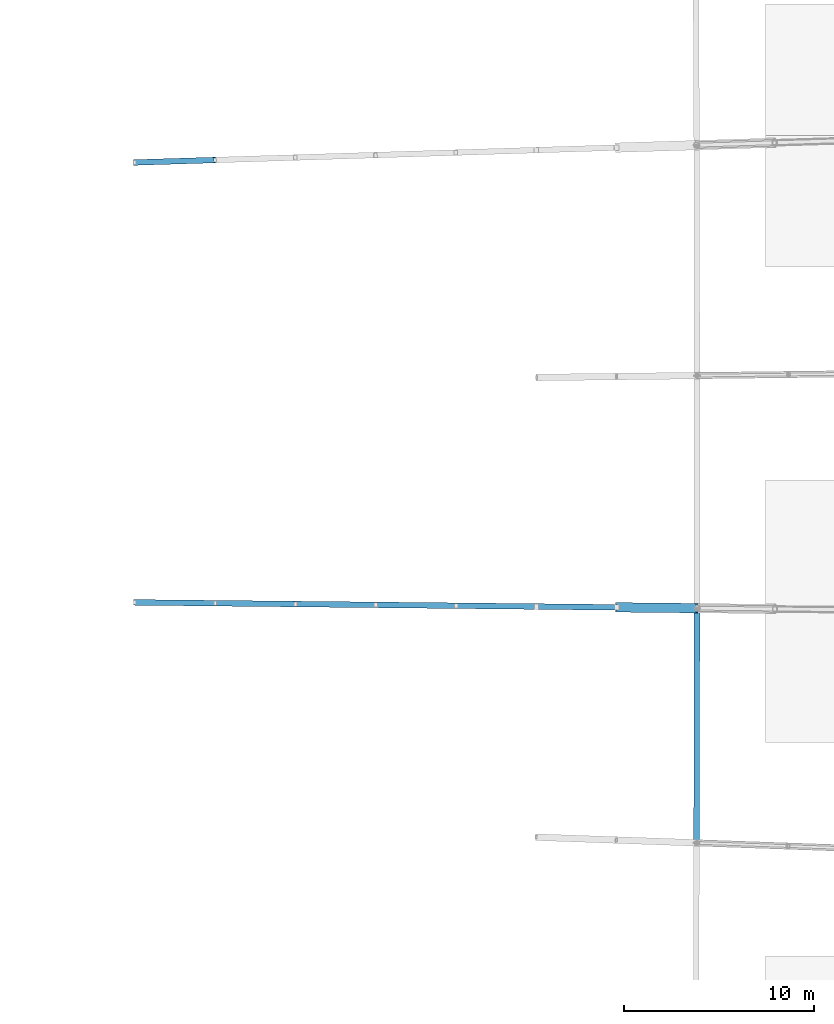
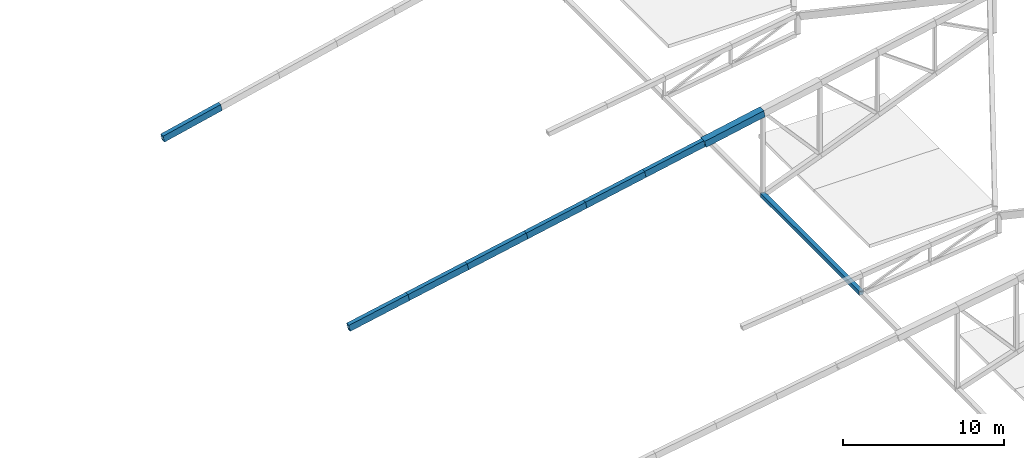
# One storey, part 55 of 188: 9 members.
"""IFC4 building model written with IfcOpenShell, lengths in metres."""

from ifc_helpers import new_model, si_unit, direction, frame, origin, origin_2d, place, context, subcontext, project, spatial, hollow_rectangle, extrude, material, material_profile, profile_set, type_object, element, save


model = new_model("IFC4")

# Units and contexts
model_context = context("Model", 3, precision=1e-05, world=origin(), true_north=direction((0.0, 1.0)))
body_context = subcontext(model_context, "Body", "Model", "MODEL_VIEW")
ifc_project = project(units=[si_unit("LENGTHUNIT", "METRE"), si_unit("AREAUNIT", "SQUARE_METRE"), si_unit("VOLUMEUNIT", "CUBIC_METRE"), si_unit("PLANEANGLEUNIT", "RADIAN"), si_unit("MASSUNIT", "GRAM", prefix="KILO")], contexts=[model_context])

# Site, building, storey
site_placement = place(None, origin())
site = spatial("IfcSite", under=ifc_project, at=site_placement, CompositionType="ELEMENT")
building_placement = place(site_placement, origin())
building = spatial("IfcBuilding", under=site, at=building_placement, Name="Meseta Stadium", CompositionType="ELEMENT")
storey_placement = place(building_placement, frame((0.0, 0.0, 30.0)))
storey = spatial("IfcBuildingStorey", under=building, at=storey_placement, Name="ROOF", CompositionType="ELEMENT", Elevation=30.0)

# Members
ifc_material_1 = material(Name="Steel S355", Category="steel")
ifc_material_profile_1 = material_profile(ifc_material_1, hollow_rectangle(XDim=0.300048828125, YDim=0.5, WallThickness=0.01611328125, at=origin_2d()), Name="RHS 500x300x16")
ifc_profile_set_1 = profile_set([ifc_material_profile_1], Name="Steel S355")
member_type_1 = type_object("IfcMemberType", Name="RHS 500x300x16 top chord", PredefinedType="CHORD", material=ifc_profile_set_1)
member_1_placement = place(storey_placement, frame((55.443603515625, -5.777587890625, 0.873291015625), z_axis=(0.978700824096, -0.010073945914, 0.205044415989), x_axis=(0.010292636977, 0.999947029409, 0.0)))
element("IfcMember", 1, at=member_1_placement, inside=storey, type_object=member_type_1, Name="ROOF TRUSS RT-04 top chord", PredefinedType="CHORD", context=body_context, shape_type="SweptSolid", body=[
    extrude(hollow_rectangle(XDim=0.300048828125, YDim=0.5, WallThickness=0.01611328125, at=origin_2d()), origin(), (0.0, 0.0, 1.0), 4.313720703125),
])
member_2_placement = place(storey_placement, frame((59.66552734375, -5.821044921875, 1.7578125), z_axis=(0.978703209085, -0.010073387951, 0.205033059241), x_axis=(0.010292041883, 0.999947035534, 0.0)))
element("IfcMember", 2, at=member_2_placement, inside=storey, type_object=member_type_1, Name="ROOF TRUSS RT-04 top chord", PredefinedType="CHORD", context=body_context, shape_type="SweptSolid", body=[
    extrude(hollow_rectangle(XDim=0.300048828125, YDim=0.5, WallThickness=0.01611328125, at=origin_2d()), origin(), (0.0, 0.0, 1.0), 4.31396484375),
])
for number, where, z_axis, x_axis, name in (
    (3, (63.8876953125, -5.864501953125, 2.642333984375), (0.978701380522, -0.010017356407, 0.205044532564), (0.010234819248, 0.999947622866, 0.0), "ROOF TRUSS RT-04 top chord"),
    (4, (68.109619140625, -5.90771484375, 3.52685546875), (0.978700824096, -0.010073945914, 0.205044415989), (0.010292636977, 0.999947029409, 0.0), "ROOF TRUSS RT-04 top chord"),
):
    element("IfcMember", number, at=place(storey_placement, frame(where, z_axis=z_axis, x_axis=x_axis)), inside=storey, type_object=member_type_1, Name=name, PredefinedType="CHORD", context=body_context, shape_type="SweptSolid", body=[
        extrude(hollow_rectangle(XDim=0.300048828125, YDim=0.5, WallThickness=0.01611328125, at=origin_2d()), origin(), (0.0, 0.0, 1.0), 4.313720703125),
    ])
member_3_placement = place(storey_placement, frame((72.33154296875, -5.951171875, 4.411376953125), z_axis=(0.978703209085, -0.010073387951, 0.205033059241), x_axis=(0.010292041883, 0.999947035534, 0.0)))
element("IfcMember", 5, at=member_3_placement, inside=storey, type_object=member_type_1, Name="ROOF TRUSS RT-04 top chord", PredefinedType="CHORD", context=body_context, shape_type="SweptSolid", body=[
    extrude(hollow_rectangle(XDim=0.300048828125, YDim=0.5, WallThickness=0.01611328125, at=origin_2d()), origin(), (0.0, 0.0, 1.0), 4.31396484375),
])
member_4_placement = place(storey_placement, frame((76.5537109375, -5.99462890625, 5.2958984375), z_axis=(0.978700824096, -0.010073945914, 0.205044415989), x_axis=(0.010292636977, 0.999947029409, 0.0)))
element("IfcMember", 6, at=member_4_placement, inside=storey, type_object=member_type_1, Name="ROOF TRUSS RT-04 top chord", PredefinedType="CHORD", context=body_context, shape_type="SweptSolid", body=[
    extrude(hollow_rectangle(XDim=0.300048828125, YDim=0.5, WallThickness=0.01611328125, at=origin_2d()), origin(), (0.0, 0.0, 1.0), 4.313720703125),
])
member_5_placement = place(storey_placement, frame((55.437255859375, 17.33251953125, 1.21728515625), z_axis=(0.979751969075, 0.03020986923, 0.197922820549), x_axis=(-0.030819553754, 0.999524964724, 0.0)))
element("IfcMember", 7, at=member_5_placement, inside=storey, type_object=member_type_1, Name="ROOF TRUSS RT-06 top chord", PredefinedType="CHORD", context=body_context, shape_type="SweptSolid", body=[
    extrude(hollow_rectangle(XDim=0.300048828125, YDim=0.5, WallThickness=0.01611328125, at=origin_2d()), origin(), (0.0, 0.0, 1.0), 4.307373046875),
])
ifc_material_2 = material(Name="Steel S355", Category="steel")
ifc_material_profile_2 = material_profile(ifc_material_2, hollow_rectangle(XDim=0.300048828125, YDim=0.300048828125, WallThickness=0.010009765625, at=origin_2d()), Name="SHS 300x300x10")
ifc_profile_set_2 = profile_set([ifc_material_profile_2], Name="Steel S355")
member_type_2 = type_object("IfcMemberType", Name="SHS 300x300x10 pivot strut", PredefinedType="STRUT", material=ifc_profile_set_2)
member_6_placement = place(storey_placement, frame((84.97314453125, -18.41064453125, 0.800048828125), z_axis=(0.001980154927, 0.999998039491, 0.0), x_axis=(-0.999998039491, 0.001980154927, 0.0)))
element("IfcMember", 8, at=member_6_placement, inside=storey, type_object=member_type_2, Name="ROOF PIVOT STRUT RT-03/04", PredefinedType="STRUT", context=body_context, shape_type="SweptSolid", body=[
    extrude(hollow_rectangle(XDim=0.300048828125, YDim=0.300048828125, WallThickness=0.010009765625, at=origin_2d()), origin(), (0.0, 0.0, 1.0), 12.329345703125),
])
ifc_material_3 = material(Name="Steel S355", Category="steel")
ifc_material_profile_3 = material_profile(ifc_material_3, hollow_rectangle(XDim=0.5, YDim=0.5, WallThickness=0.01611328125, at=origin_2d()), Name="SHS 500x500x16")
ifc_profile_set_3 = profile_set([ifc_material_profile_3], Name="Steel S355")
member_type_3 = type_object("IfcMemberType", Name="SHS 500x500x16 top chord", PredefinedType="CHORD", material=ifc_profile_set_3)
member_7_placement = place(storey_placement, frame((80.775634765625, -6.0380859375, 6.180419921875), z_axis=(0.978701380522, -0.010017356407, 0.205044532564), x_axis=(0.010234819248, 0.999947622866, 0.0)))
element("IfcMember", 9, at=member_7_placement, inside=storey, type_object=member_type_3, Name="ROOF TRUSS RT-04 top chord", PredefinedType="CHORD", context=body_context, shape_type="SweptSolid", body=[
    extrude(hollow_rectangle(XDim=0.5, YDim=0.5, WallThickness=0.01611328125, at=origin_2d()), origin(), (0.0, 0.0, 1.0), 4.313720703125),
])

save(model, "model.ifc")
